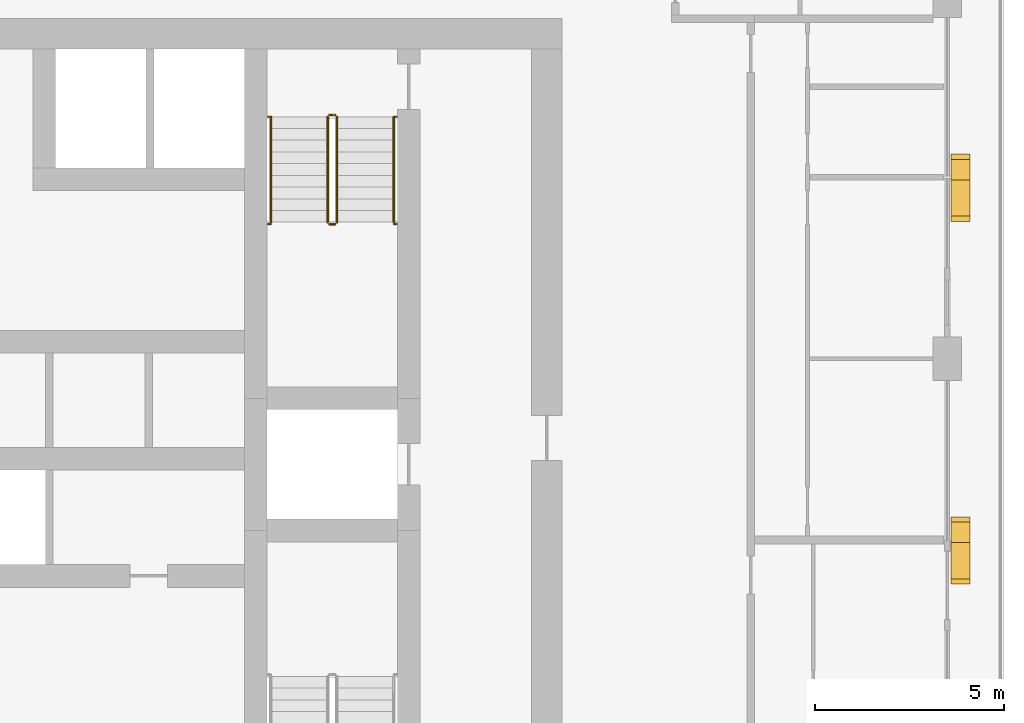
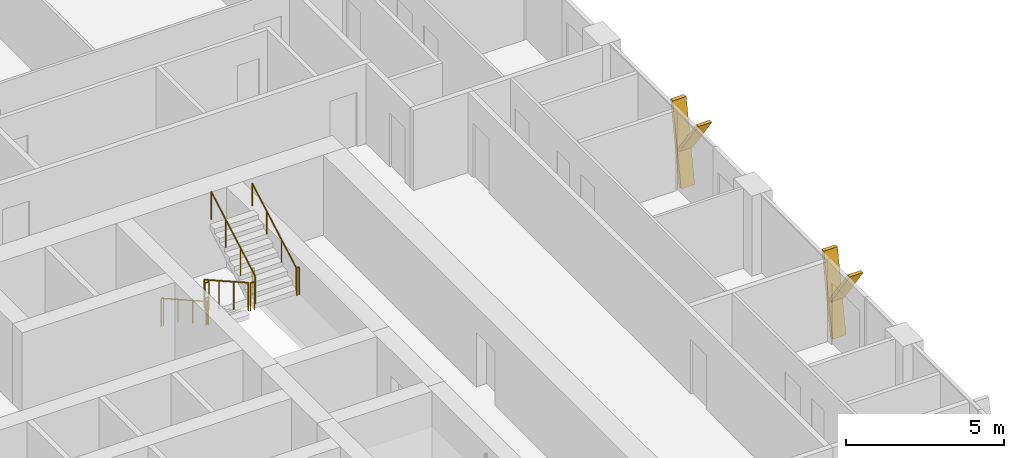
# One storey, part 21 of 22: 10 railings, 4 shading devices.
"""IFC4 building model written with IfcOpenShell, lengths in metres."""

from ifc_helpers import new_model, si_unit, direction, frame, origin, origin_2d, place, context, subcontext, project, spatial, polyline, circle, outline, extrude, material, type_object, element, save


model = new_model("IFC4")

# Units and contexts
model_context = context("Model", 3, precision=1e-05, world=origin(), true_north=direction((0.0, 1.0)))
body_context = subcontext(model_context, "Body", "Model", "MODEL_VIEW")
ifc_project = project(units=[si_unit("LENGTHUNIT", "METRE"), si_unit("AREAUNIT", "SQUARE_METRE"), si_unit("VOLUMEUNIT", "CUBIC_METRE"), si_unit("PLANEANGLEUNIT", "RADIAN"), si_unit("MASSUNIT", "GRAM", prefix="KILO")], contexts=[model_context])

# Site, building, storey
site_placement = place(None, origin())
site = spatial("IfcSite", under=ifc_project, at=site_placement, CompositionType="ELEMENT")
building_placement = place(site_placement, origin())
building = spatial("IfcBuilding", under=site, at=building_placement, Name="Madar Terraces", CompositionType="ELEMENT")
storey_placement = place(building_placement, frame((0.0, 0.0, 140.10009765625)))
storey = spatial("IfcBuildingStorey", under=building, at=storey_placement, Name="L36", CompositionType="ELEMENT", Elevation=140.10009765625)

# Shading devices
ifc_material_1 = material(Name="Aluminium, black anodised", Category="aluminium")
shading_device_type = type_object("IfcShadingDeviceType", Name="Facade fin blade 140 x 500", PredefinedType="USERDEFINED", material=ifc_material_1)
shading_device_1_placement = place(storey_placement, frame((57.949951171875, 23.929931640625, 0.0), z_axis=(0.0, 0.0, 1.0), x_axis=(0.0, 1.0, 0.0)))
element("IfcShadingDevice", 1, at=shading_device_1_placement, inside=storey, type_object=shading_device_type, Name="FIN L36 E2", ObjectType="FIN", PredefinedType="USERDEFINED", context=body_context, shape_type="SweptSolid", body=[
    extrude(outline(polyline([(0.0, 0.0), (0.14013671875, 0.0), (0.68310546875, 3.079833984375), (0.54296875, 3.079833984375), (0.0, 0.0)])), frame((0.0, 0.25, 0.0), z_axis=(0.0, -1.0, 0.0), x_axis=(1.0, 0.0, 0.0)), (0.0, 0.0, 1.0), 0.5),
])
shading_device_2_placement = place(storey_placement, frame((57.949951171875, 24.034423828125, 1.385986328125), z_axis=(0.0, 0.0, 1.0), x_axis=(0.0, 1.0, 0.0)))
element("IfcShadingDevice", 2, at=shading_device_2_placement, inside=storey, type_object=shading_device_type, Name="FIN L36 E2 branch", ObjectType="FIN", PredefinedType="USERDEFINED", context=body_context, shape_type="SweptSolid", body=[
    extrude(outline(polyline([(0.0, 0.0), (0.139892578125, 0.0), (-1.061279296875, 1.69384765625), (-1.201416015625, 1.69384765625), (0.0, 0.0)])), frame((0.0, 0.25, 0.0), z_axis=(0.0, -1.0, 0.0), x_axis=(1.0, 0.0, 0.0)), (0.0, 0.0, 1.0), 0.5),
])
shading_device_3_placement = place(storey_placement, frame((57.949951171875, 33.530029296875, 0.0), z_axis=(0.0, 0.0, 1.0), x_axis=(0.0, 1.0, 0.0)))
element("IfcShadingDevice", 3, at=shading_device_3_placement, inside=storey, type_object=shading_device_type, Name="FIN L36 E3", ObjectType="FIN", PredefinedType="USERDEFINED", context=body_context, shape_type="SweptSolid", body=[
    extrude(outline(polyline([(0.0, 0.0), (0.139892578125, 0.0), (0.68310546875, 3.079833984375), (0.54296875, 3.079833984375), (0.0, 0.0)])), frame((0.0, 0.25, 0.0), z_axis=(0.0, -1.0, 0.0), x_axis=(1.0, 0.0, 0.0)), (0.0, 0.0, 1.0), 0.5),
])
shading_device_4_placement = place(storey_placement, frame((57.949951171875, 33.63427734375, 1.385986328125), z_axis=(0.0, 0.0, 1.0), x_axis=(0.0, 1.0, 0.0)))
element("IfcShadingDevice", 4, at=shading_device_4_placement, inside=storey, type_object=shading_device_type, Name="FIN L36 E3 branch", ObjectType="FIN", PredefinedType="USERDEFINED", context=body_context, shape_type="SweptSolid", body=[
    extrude(outline(polyline([(0.0, 0.0), (0.14013671875, 0.0), (-1.061279296875, 1.69384765625), (-1.201416015625, 1.69384765625), (0.0, 0.0)])), frame((0.0, 0.25, 0.0), z_axis=(0.0, -1.0, 0.0), x_axis=(1.0, 0.0, 0.0)), (0.0, 0.0, 1.0), 0.5),
])

# Railings
ifc_material_2 = material(Name="Stainless steel railing", Category="steel")
railing_type_1 = type_object("IfcRailingType", Name="Stair guard 1100", PredefinedType="GUARDRAIL", material=ifc_material_2)
railing_1_placement = place(storey_placement, frame((41.199951171875, 35.199951171875, 0.1748046875)))
element("IfcRailing", 5, at=railing_1_placement, inside=storey, type_object=railing_type_1, Name="L36 ST2 stair guard 1", PredefinedType="GUARDRAIL", context=body_context, shape_type="SweptSolid", body=[
    extrude(circle(Radius=0.02392578125, at=origin_2d()), frame((0.0, 0.0, 1.076171875), z_axis=(0.0, -0.870801158333, 0.491635375706), x_axis=(1.0, 0.0, 0.0)), (0.0, 0.0, 1.0), 3.2041015625),
    extrude(circle(Radius=0.02099609375, at=origin_2d()), origin(), (0.0, 0.0, 1.0), 1.052001953125),
    extrude(circle(Radius=0.02099609375, at=origin_2d()), frame((0.0, -0.929931640625, 0.525146484375)), (0.0, 0.0, 1.0), 1.052001953125),
    extrude(circle(Radius=0.02099609375, at=origin_2d()), frame((0.0, -1.860107421875, 1.050048828125)), (0.0, 0.0, 1.0), 1.052001953125),
    extrude(circle(Radius=0.02099609375, at=origin_2d()), frame((0.0, -2.7900390625, 1.5751953125)), (0.0, 0.0, 1.0), 1.052001953125),
])
railing_2_placement = place(storey_placement, frame((41.25, 32.360107421875, 1.75)))
element("IfcRailing", 6, at=railing_2_placement, inside=storey, type_object=railing_type_1, Name="L36 ST2 stair guard 2", PredefinedType="GUARDRAIL", context=body_context, shape_type="SweptSolid", body=[
    extrude(circle(Radius=0.02392578125, at=origin_2d()), frame((0.0, 0.0, 1.076171875), z_axis=(1.0, 0.0, 0.0), x_axis=(0.0, 1.0, 0.0)), (0.0, 0.0, 1.0), 0.14990234375),
    extrude(circle(Radius=0.02099609375, at=origin_2d()), origin(), (0.0, 0.0, 1.0), 1.052001953125),
    extrude(circle(Radius=0.02099609375, at=origin_2d()), frame((0.14990234375, 0.0, 0.0)), (0.0, 0.0, 1.0), 1.052001953125),
])
railing_3_placement = place(storey_placement, frame((41.449951171875, 32.409912109375, 1.9248046875)))
element("IfcRailing", 7, at=railing_3_placement, inside=storey, type_object=railing_type_1, Name="L36 ST2 stair guard 3", PredefinedType="GUARDRAIL", context=body_context, shape_type="SweptSolid", body=[
    extrude(circle(Radius=0.02392578125, at=origin_2d()), frame((0.0, 0.0, 1.076171875), z_axis=(0.0, 0.870801158333, 0.491635375706), x_axis=(-1.0, 0.0, 0.0)), (0.0, 0.0, 1.0), 3.2041015625),
    extrude(circle(Radius=0.02099609375, at=origin_2d()), origin(), (0.0, 0.0, 1.0), 1.052001953125),
    extrude(circle(Radius=0.02099609375, at=origin_2d()), frame((0.0, 0.929931640625, 0.525146484375)), (0.0, 0.0, 1.0), 1.052001953125),
    extrude(circle(Radius=0.02099609375, at=origin_2d()), frame((0.0, 1.860107421875, 1.050048828125)), (0.0, 0.0, 1.0), 1.052001953125),
    extrude(circle(Radius=0.02099609375, at=origin_2d()), frame((0.0, 2.7900390625, 1.5751953125)), (0.0, 0.0, 1.0), 1.052001953125),
])
railing_4_placement = place(storey_placement, frame((41.25, 35.25, 0.0)))
element("IfcRailing", 8, at=railing_4_placement, inside=storey, type_object=railing_type_1, Name="L36 ST2 stair guard 4", PredefinedType="GUARDRAIL", context=body_context, shape_type="SweptSolid", body=[
    extrude(circle(Radius=0.02392578125, at=origin_2d()), frame((0.0, 0.0, 1.076171875), z_axis=(1.0, 0.0, 0.0), x_axis=(0.0, 1.0, 0.0)), (0.0, 0.0, 1.0), 0.14990234375),
    extrude(circle(Radius=0.02099609375, at=origin_2d()), origin(), (0.0, 0.0, 1.0), 1.052001953125),
    extrude(circle(Radius=0.02099609375, at=origin_2d()), frame((0.14990234375, 0.0, 0.0)), (0.0, 0.0, 1.0), 1.052001953125),
])
railing_5_placement = place(storey_placement, frame((39.6201171875, 32.360107421875, 1.75)))
element("IfcRailing", 9, at=railing_5_placement, inside=storey, type_object=railing_type_1, Name="L36 stair guard seat 1", PredefinedType="GUARDRAIL", context=body_context, shape_type="SweptSolid", body=[
    extrude(circle(Radius=0.02392578125, at=origin_2d()), frame((0.0, 0.0, 1.076171875), z_axis=(1.0, 0.0, 0.0), x_axis=(0.0, 1.0, 0.0)), (0.0, 0.0, 1.0), 0.079833984375),
    extrude(circle(Radius=0.02099609375, at=origin_2d()), origin(), (0.0, 0.0, 1.0), 1.052001953125),
    extrude(circle(Radius=0.02099609375, at=origin_2d()), frame((0.079833984375, 0.0, 0.0)), (0.0, 0.0, 1.0), 1.052001953125),
])
railing_6_placement = place(storey_placement, frame((42.949951171875, 32.360107421875, 1.75)))
element("IfcRailing", 10, at=railing_6_placement, inside=storey, type_object=railing_type_1, Name="L36 stair guard seat 2", PredefinedType="GUARDRAIL", context=body_context, shape_type="SweptSolid", body=[
    extrude(circle(Radius=0.02392578125, at=origin_2d()), frame((0.0, 0.0, 1.076171875), z_axis=(1.0, 0.0, 0.0), x_axis=(0.0, 1.0, 0.0)), (0.0, 0.0, 1.0), 0.080078125),
    extrude(circle(Radius=0.02099609375, at=origin_2d()), origin(), (0.0, 0.0, 1.0), 1.052001953125),
    extrude(circle(Radius=0.02099609375, at=origin_2d()), frame((0.080078125, 0.0, 0.0)), (0.0, 0.0, 1.0), 1.052001953125),
])
railing_7_placement = place(storey_placement, frame((39.6201171875, 35.199951171875, 0.0)))
element("IfcRailing", 11, at=railing_7_placement, inside=storey, type_object=railing_type_1, Name="L36 stair guard floor 1", PredefinedType="GUARDRAIL", context=body_context, shape_type="SweptSolid", body=[
    extrude(circle(Radius=0.02392578125, at=origin_2d()), frame((0.0, 0.0, 1.076171875), z_axis=(1.0, 0.0, 0.0), x_axis=(0.0, 1.0, 0.0)), (0.0, 0.0, 1.0), 0.079833984375),
    extrude(circle(Radius=0.02099609375, at=origin_2d()), origin(), (0.0, 0.0, 1.0), 1.052001953125),
    extrude(circle(Radius=0.02099609375, at=origin_2d()), frame((0.079833984375, 0.0, 0.0)), (0.0, 0.0, 1.0), 1.052001953125),
])
railing_8_placement = place(storey_placement, frame((42.949951171875, 35.199951171875, 0.0)))
element("IfcRailing", 12, at=railing_8_placement, inside=storey, type_object=railing_type_1, Name="L36 stair guard floor 2", PredefinedType="GUARDRAIL", context=body_context, shape_type="SweptSolid", body=[
    extrude(circle(Radius=0.02392578125, at=origin_2d()), frame((0.0, 0.0, 1.076171875), z_axis=(1.0, 0.0, 0.0), x_axis=(0.0, 1.0, 0.0)), (0.0, 0.0, 1.0), 0.080078125),
    extrude(circle(Radius=0.02099609375, at=origin_2d()), origin(), (0.0, 0.0, 1.0), 1.052001953125),
    extrude(circle(Radius=0.02099609375, at=origin_2d()), frame((0.080078125, 0.0, 0.0)), (0.0, 0.0, 1.0), 1.052001953125),
])
ifc_material_3 = material(Name="Stainless steel railing", Category="steel")
railing_type_2 = type_object("IfcRailingType", Name="Stair handrail 900", PredefinedType="HANDRAIL", material=ifc_material_3)
railing_9_placement = place(storey_placement, frame((39.699951171875, 35.199951171875, 0.1748046875)))
element("IfcRailing", 13, at=railing_9_placement, inside=storey, type_object=railing_type_2, Name="L36 ST2 stair handrail 1", PredefinedType="HANDRAIL", context=body_context, shape_type="SweptSolid", body=[
    extrude(circle(Radius=0.02392578125, at=origin_2d()), frame((0.0, 0.0, 0.8759765625), z_axis=(0.0, -0.870801158333, 0.491635375706), x_axis=(1.0, 0.0, 0.0)), (0.0, 0.0, 1.0), 3.2041015625),
    extrude(circle(Radius=0.02099609375, at=origin_2d()), origin(), (0.0, 0.0, 1.0), 0.851806640625),
    extrude(circle(Radius=0.02099609375, at=origin_2d()), frame((0.0, -0.929931640625, 0.525146484375)), (0.0, 0.0, 1.0), 0.851806640625),
    extrude(circle(Radius=0.02099609375, at=origin_2d()), frame((0.0, -1.860107421875, 1.050048828125)), (0.0, 0.0, 1.0), 0.851806640625),
    extrude(circle(Radius=0.02099609375, at=origin_2d()), frame((0.0, -2.7900390625, 1.5751953125)), (0.0, 0.0, 1.0), 0.851806640625),
])
railing_10_placement = place(storey_placement, frame((42.949951171875, 32.409912109375, 1.9248046875)))
element("IfcRailing", 14, at=railing_10_placement, inside=storey, type_object=railing_type_2, Name="L36 ST2 stair handrail 2", PredefinedType="HANDRAIL", context=body_context, shape_type="SweptSolid", body=[
    extrude(circle(Radius=0.02392578125, at=origin_2d()), frame((0.0, 0.0, 0.8759765625), z_axis=(0.0, 0.870801158333, 0.491635375706), x_axis=(-1.0, 0.0, 0.0)), (0.0, 0.0, 1.0), 3.2041015625),
    extrude(circle(Radius=0.02099609375, at=origin_2d()), origin(), (0.0, 0.0, 1.0), 0.851806640625),
    extrude(circle(Radius=0.02099609375, at=origin_2d()), frame((0.0, 0.929931640625, 0.525146484375)), (0.0, 0.0, 1.0), 0.851806640625),
    extrude(circle(Radius=0.02099609375, at=origin_2d()), frame((0.0, 1.860107421875, 1.050048828125)), (0.0, 0.0, 1.0), 0.851806640625),
    extrude(circle(Radius=0.02099609375, at=origin_2d()), frame((0.0, 2.7900390625, 1.5751953125)), (0.0, 0.0, 1.0), 0.851806640625),
])

save(model, "model.ifc")
